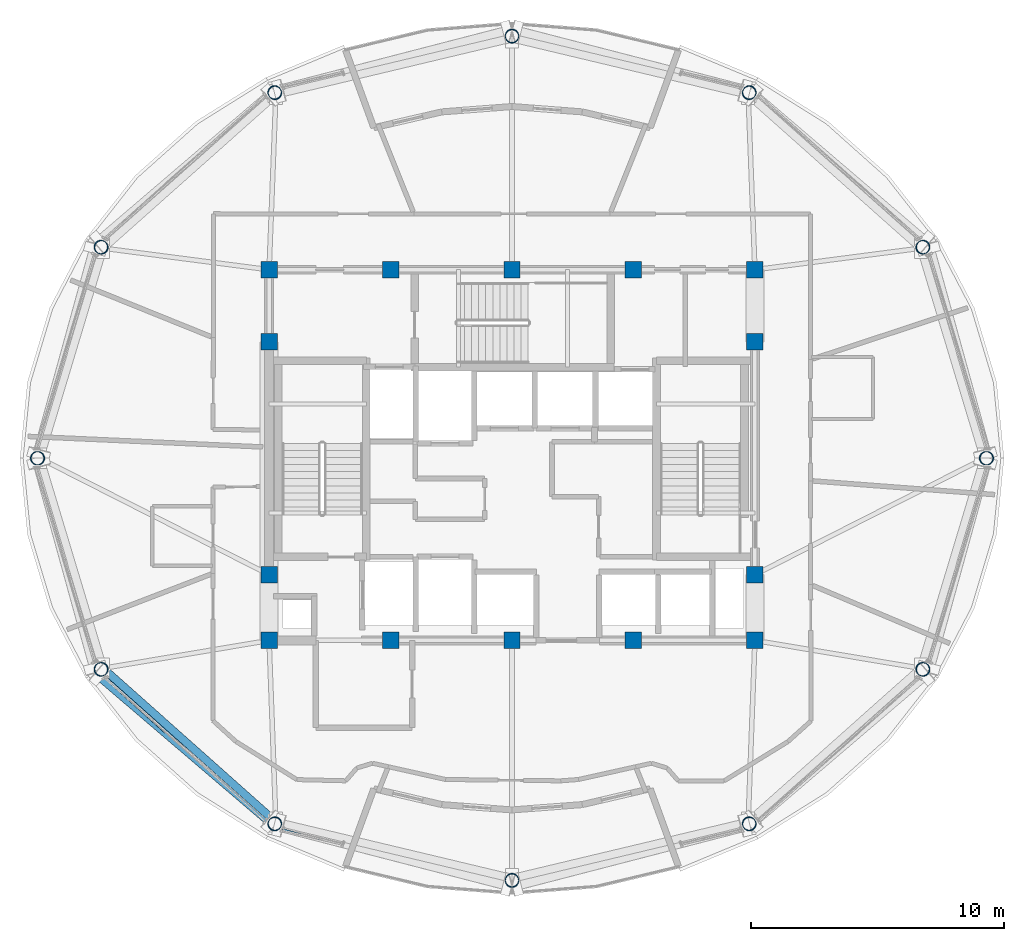
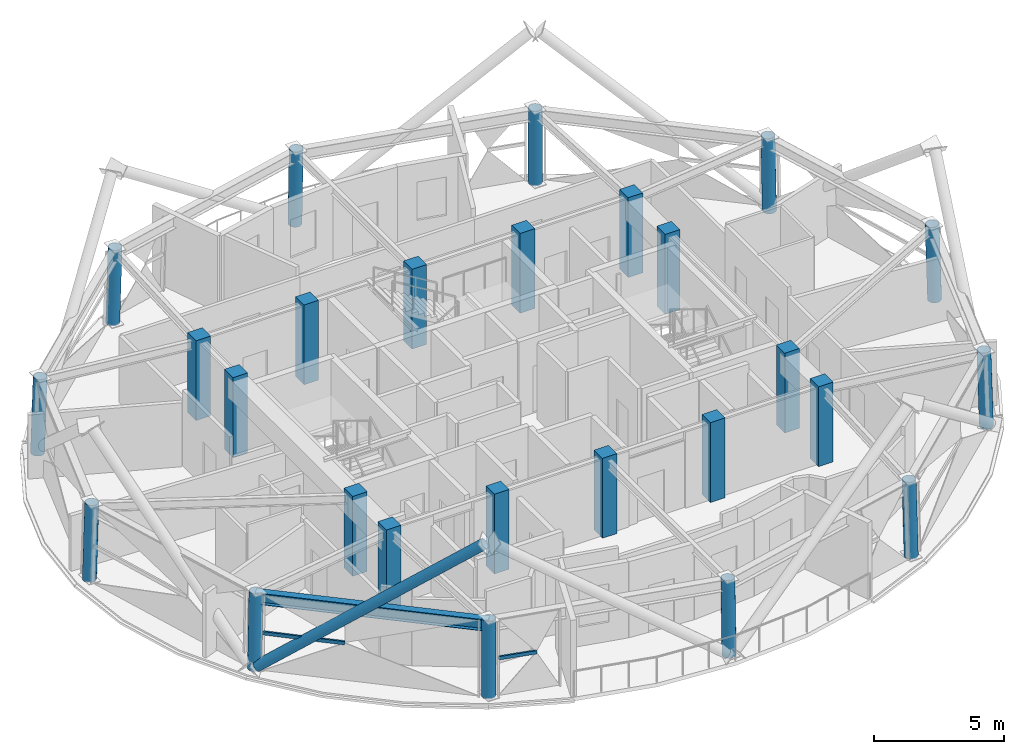
# One storey, part 1 of 13: 26 columns, 3 members, 1 beam, 2 elements without a shape of their own.
"""IFC4 building model written with IfcOpenShell, lengths in metres."""

from ifc_helpers import new_model, si_unit, direction, frame, origin, origin_2d, place, context, subcontext, project, spatial, rectangle, hollow_rectangle, hollow_circle, i_section, extrude, material, layer, layer_set, material_profile, profile_set, type_object, element, aggregate, save


model = new_model("IFC4")

# Units and contexts
model_context = context("Model", 3, precision=1e-05, world=origin(), true_north=direction((0.0, 1.0)))
body_context = subcontext(model_context, "Body", "Model", "MODEL_VIEW")
ifc_project = project(units=[si_unit("LENGTHUNIT", "METRE"), si_unit("AREAUNIT", "SQUARE_METRE"), si_unit("VOLUMEUNIT", "CUBIC_METRE"), si_unit("PLANEANGLEUNIT", "RADIAN"), si_unit("MASSUNIT", "GRAM", prefix="KILO")], contexts=[model_context])

# Site, building, storey
site_placement = place(None, origin())
site = spatial("IfcSite", under=ifc_project, at=site_placement, CompositionType="ELEMENT")
building_placement = place(site_placement, origin())
building = spatial("IfcBuilding", under=site, at=building_placement, Name="Vantalir Tower", CompositionType="ELEMENT")
storey_placement = place(building_placement, frame((0.0, 0.0, 282.60009765625)))
storey = spatial("IfcBuildingStorey", under=building, at=storey_placement, Name="L71", CompositionType="ELEMENT", Elevation=282.60009765625)

# Columns
ifc_material_1 = material(Name="Concrete C50/60", Category="concrete")
ifc_material_profile_1 = material_profile(ifc_material_1, rectangle(XDim=0.64990234375, YDim=0.64990234375, at=origin_2d()), Name="Concrete C50/60")
ifc_profile_set_1 = profile_set([ifc_material_profile_1], Name="Concrete C50/60")
column_type_1 = type_object("IfcColumnType", Name="COL-CC-650", PredefinedType="COLUMN", material=ifc_profile_set_1)
for number, where, z_axis, x_axis, name in (
    (1, (21.89990234375, 17.800048828125, 0.0), (0.0, 0.0, 1.0), (1.0, 0.0, 0.0), "L71 Core Column CC01"),
    (2, (26.699951171875, 17.800048828125, 0.0), (0.0, 0.0, 1.0), (1.0, 0.0, 0.0), "L71 Core Column CC02"),
    (3, (31.5, 17.800048828125, 0.0), (0.0, 0.0, 1.0), (1.0, 0.0, 0.0), "L71 Core Column CC03"),
    (4, (36.300048828125, 17.800048828125, 0.0), (0.0, 0.0, 1.0), (1.0, 0.0, 0.0), "L71 Core Column CC04"),
    (5, (41.10009765625, 17.800048828125, 0.0), (0.0, 0.0, 1.0), (1.0, 0.0, 0.0), "L71 Core Column CC05"),
    (6, (21.89990234375, 20.39990234375, 0.0), (0.0, 0.0, 1.0), (1.0, 0.0, 0.0), "L71 Core Column CC06"),
    (7, (21.89990234375, 29.60009765625, 0.0), (0.0, 0.0, 1.0), (1.0, 0.0, 0.0), "L71 Core Column CC07"),
    (8, (41.10009765625, 20.39990234375, 0.0), (0.0, 0.0, 1.0), (1.0, 0.0, 0.0), "L71 Core Column CC08"),
    (9, (41.10009765625, 29.60009765625, 0.0), (0.0, 0.0, 1.0), (1.0, 0.0, 0.0), "L71 Core Column CC09"),
    (10, (21.89990234375, 32.449951171875, 0.0), (0.0, 0.0, 1.0), (1.0, 0.0, 0.0), "L71 Core Column CC10"),
    (11, (26.699951171875, 32.449951171875, 0.0), (0.0, 0.0, 1.0), (1.0, 0.0, 0.0), "L71 Core Column CC11"),
    (12, (31.5, 32.449951171875, 0.0), (0.0, 0.0, 1.0), (1.0, 0.0, 0.0), "L71 Core Column CC12"),
    (13, (36.300048828125, 32.449951171875, 0.0), (0.0, 0.0, 1.0), (1.0, 0.0, 0.0), "L71 Core Column CC13"),
    (14, (41.10009765625, 32.449951171875, 0.0), (0.0, 0.0, 1.0), (1.0, 0.0, 0.0), "L71 Core Column CC14"),
):
    element("IfcColumn", number, at=place(storey_placement, frame(where, z_axis=z_axis, x_axis=x_axis)), inside=storey, type_object=column_type_1, Name=name, PredefinedType="COLUMN", context=body_context, shape_type="SweptSolid", body=[
        extrude(rectangle(XDim=0.64990234375, YDim=0.64990234375, at=origin_2d()), origin(), (0.0, 0.0, 1.0), 3.75),
    ])
ifc_material_2 = material(Name="Steel S460", Category="steel")
ifc_material_profile_2 = material_profile(ifc_material_2, hollow_circle(Radius=0.27490234375, WallThickness=0.02490234375, at=origin_2d()), Name="Steel S460")
ifc_profile_set_2 = profile_set([ifc_material_profile_2], Name="Steel S460")
column_type_2 = type_object("IfcColumnType", Name="COL-RC-550", PredefinedType="COLUMN", material=ifc_profile_set_2)
for number, where, z_axis, x_axis, name in (
    (15, (50.27001953125, 25.0, 0.0), (-0.029395033869, 0.0, 0.999567872625), (0.0, -1.0, 0.0), "L71 Perimeter Ring Column RC01"),
    (16, (47.7548828125, 33.35009765625, 0.0), (-0.025430672983, -0.01319387066, 0.999589517076), (0.460526100671, -0.887646162951, 0.0), "L71 Perimeter Ring Column RC02"),
):
    element("IfcColumn", number, at=place(storey_placement, frame(where, z_axis=z_axis, x_axis=x_axis)), inside=storey, type_object=column_type_2, Name=name, PredefinedType="COLUMN", context=body_context, shape_type="SweptSolid", body=[
        extrude(hollow_circle(Radius=0.27490234375, WallThickness=0.02490234375, at=origin_2d()), origin(), (0.0, 0.0, 1.0), 3.5712890625),
    ])
for number, where, z_axis, x_axis, name in (
    (17, (40.885009765625, 39.462890625, 0.0), (-0.014561724954, -0.022902243472, 0.999631653866), (0.843868872762, -0.536549462383, 0.0), "L71 Perimeter Ring Column RC03"),
    (18, (31.5, 41.699951171875, 0.0), (0.0, -0.026321065052, 0.99965354075), (1.0, 0.0, 0.0), "L71 Perimeter Ring Column RC04"),
    (19, (22.114990234375, 39.462890625, 0.0), (0.014835124949, -0.022902151418, 0.999627635937), (0.839301184633, 0.543666737509, 0.0), "L71 Perimeter Ring Column RC05"),
):
    element("IfcColumn", number, at=place(storey_placement, frame(where, z_axis=z_axis, x_axis=x_axis)), inside=storey, type_object=column_type_2, Name=name, PredefinedType="COLUMN", context=body_context, shape_type="SweptSolid", body=[
        extrude(hollow_circle(Radius=0.27490234375, WallThickness=0.02490234375, at=origin_2d()), origin(), (0.0, 0.0, 1.0), 3.571044921875),
    ])
for number, where, z_axis, x_axis, name in (
    (20, (15.2451171875, 33.35009765625, 0.0), (0.025430672983, -0.01319387066, 0.999589517076), (0.460526100671, 0.887646162951, 0.0), "L71 Perimeter Ring Column RC06"),
    (21, (12.72998046875, 25.0, 0.0), (0.029395033869, 0.0, 0.999567872625), (0.0, 1.0, 0.0), "L71 Perimeter Ring Column RC07"),
    (22, (15.2451171875, 16.64990234375, 0.0), (0.025430672983, 0.01319387066, 0.999589517076), (-0.460526100671, 0.887646162951, 0.0), "L71 Perimeter Ring Column RC08"),
):
    element("IfcColumn", number, at=place(storey_placement, frame(where, z_axis=z_axis, x_axis=x_axis)), inside=storey, type_object=column_type_2, Name=name, PredefinedType="COLUMN", context=body_context, shape_type="SweptSolid", body=[
        extrude(hollow_circle(Radius=0.27490234375, WallThickness=0.02490234375, at=origin_2d()), origin(), (0.0, 0.0, 1.0), 3.5712890625),
    ])
for number, where, z_axis, x_axis, name in (
    (23, (22.114990234375, 10.537109375, 0.0), (0.014561724954, 0.022902243472, 0.999631653866), (-0.843868872762, 0.536549462383, 0.0), "L71 Perimeter Ring Column RC09"),
    (24, (31.5, 8.300048828125, 0.0), (0.0, 0.026321065052, 0.99965354075), (-1.0, 0.0, 0.0), "L71 Perimeter Ring Column RC10"),
    (25, (40.885009765625, 10.537109375, 0.0), (-0.014561724954, 0.022902243472, 0.999631653866), (-0.843868872762, -0.536549462383, 0.0), "L71 Perimeter Ring Column RC11"),
):
    element("IfcColumn", number, at=place(storey_placement, frame(where, z_axis=z_axis, x_axis=x_axis)), inside=storey, type_object=column_type_2, Name=name, PredefinedType="COLUMN", context=body_context, shape_type="SweptSolid", body=[
        extrude(hollow_circle(Radius=0.27490234375, WallThickness=0.02490234375, at=origin_2d()), origin(), (0.0, 0.0, 1.0), 3.571044921875),
    ])
column_placement = place(storey_placement, frame((47.7548828125, 16.64990234375, 0.0), z_axis=(-0.025430672983, 0.01319387066, 0.999589517076), x_axis=(-0.460526100671, -0.887646162951, 0.0)))
element("IfcColumn", 26, at=column_placement, inside=storey, type_object=column_type_2, Name="L71 Perimeter Ring Column RC12", PredefinedType="COLUMN", context=body_context, shape_type="SweptSolid", body=[
    extrude(hollow_circle(Radius=0.27490234375, WallThickness=0.02490234375, at=origin_2d()), origin(), (0.0, 0.0, 1.0), 3.5712890625),
])

# Beam
ifc_material_profile_3 = material_profile(ifc_material_2, i_section(OverallWidth=0.31201171875, OverallDepth=0.5419921875, WebThickness=0.0126953125, FlangeThickness=0.020263671875, at=origin_2d()), Name="Steel S460")
ifc_profile_set_3 = profile_set([ifc_material_profile_3], Name="Steel S460")
beam_type = type_object("IfcBeamType", Name="BM-RG-533x312", PredefinedType="USERDEFINED", material=ifc_profile_set_3)
beam_placement = place(storey_placement, frame((15.3359375, 16.697021484375, 3.298828125), z_axis=(0.747079245469, -0.664734985532, 0.0), x_axis=(0.664734985532, 0.747079245469, 0.0)))
element("IfcBeam", 27, at=beam_placement, inside=storey, type_object=beam_type, Name="L71 Circumferential Ring Girder 08", ObjectType="GIRDER", PredefinedType="USERDEFINED", context=body_context, shape_type="SweptSolid", body=[
    extrude(i_section(OverallWidth=0.31201171875, OverallDepth=0.5419921875, WebThickness=0.0126953125, FlangeThickness=0.020263671875, at=origin_2d()), origin(), (0.0, 0.0, 1.0), 9.143798828125),
])

# Curtain wall, member
ifc_material_3 = material(Name="Champagne-silver PVDF aluminium and double-silver Low-E glass", Category="aluminium")
ifc_layer = layer(ifc_material_3, 0.219970703125)
ifc_layer_set = layer_set([ifc_layer], Name="Champagne-silver PVDF aluminium and double-silver Low-E glass")
curtain_wall_type = type_object("IfcCurtainWallType", Name="CW-DIAMOND-Z4", PredefinedType="USERDEFINED", material=ifc_layer_set)
curtain_wall_1_placement = place(storey_placement, origin())
curtain_wall_1 = element("IfcCurtainWall", 28, at=curtain_wall_1_placement, inside=storey, type_object=curtain_wall_type, Name="L71 Quilted Pyramid-Diamond Curtain Wall S08", ObjectType="UNITISED CURTAIN WALL", PredefinedType="USERDEFINED")
ifc_material_4 = material(Name="Champagne-silver PVDF aluminium 6063-T6", Category="aluminium")
ifc_material_profile_4 = material_profile(ifc_material_4, hollow_rectangle(XDim=0.074951171875, YDim=0.159912109375, WallThickness=0.00390625, at=origin_2d()), Name="Champagne-silver PVDF aluminium 6063-T6")
ifc_profile_set_4 = profile_set([ifc_material_profile_4], Name="Champagne-silver PVDF aluminium 6063-T6")
member_type_1 = type_object("IfcMemberType", Name="CWT-160x75", PredefinedType="USERDEFINED", material=ifc_profile_set_4)
member_1_placement = place(storey_placement, frame((15.4169921875, 16.319091796875, 1.784912109375), z_axis=(0.741727901546, -0.670700917003, 0.0), x_axis=(0.670700917003, 0.741727901546, 0.0)))
member_1 = element("IfcMember", 29, at=member_1_placement, type_object=member_type_1, Name="CW-L71-S08 Pyramid Fold Ridge Transom", ObjectType="TRANSOM", PredefinedType="USERDEFINED", context=body_context, shape_type="SweptSolid", body=[
    extrude(hollow_rectangle(XDim=0.074951171875, YDim=0.159912109375, WallThickness=0.00390625, at=origin_2d()), origin(), (0.0, 0.0, 1.0), 3.220703125),
])
aggregate(curtain_wall_1, [member_1])

curtain_wall_2_placement = place(storey_placement, origin())
curtain_wall_2 = element("IfcCurtainWall", 30, at=curtain_wall_2_placement, inside=storey, type_object=curtain_wall_type, Name="L71 Quilted Pyramid-Diamond Curtain Wall S09", ObjectType="UNITISED CURTAIN WALL", PredefinedType="USERDEFINED")
member_2_placement = place(storey_placement, frame((22.425048828125, 10.322998046875, 1.784912109375), z_axis=(0.968930814317, -0.247331916799, 0.0), x_axis=(0.247331916799, 0.968930814317, 0.0)))
member_2 = element("IfcMember", 31, at=member_2_placement, type_object=member_type_1, Name="CW-L71-S09 Pyramid Fold Ridge Transom", ObjectType="TRANSOM", PredefinedType="USERDEFINED", context=body_context, shape_type="SweptSolid", body=[
    extrude(hollow_rectangle(XDim=0.074951171875, YDim=0.159912109375, WallThickness=0.00390625, at=origin_2d()), origin(), (0.0, 0.0, 1.0), 1.52001953125),
])
aggregate(curtain_wall_2, [member_2])

# Member
ifc_material_profile_5 = material_profile(ifc_material_2, hollow_circle(Radius=0.22998046875, WallThickness=0.028076171875, at=origin_2d()), Name="Steel S460")
ifc_profile_set_5 = profile_set([ifc_material_profile_5], Name="Steel S460")
member_type_2 = type_object("IfcMemberType", Name="MEM-DB-460x28", PredefinedType="BRACE", material=ifc_profile_set_5)
member_3_placement = place(storey_placement, frame((15.2119140625, 16.44189453125, 0.21484375), z_axis=(0.60168259491, -0.514013487382, 0.611365839552), x_axis=(0.649541572784, 0.760326078223, 0.0)))
element("IfcMember", 32, at=member_3_placement, inside=storey, type_object=member_type_2, Name="L71 Perimeter S460 Diagrid Brace R22L", PredefinedType="BRACE", context=body_context, shape_type="SweptSolid", body=[
    extrude(hollow_circle(Radius=0.22998046875, WallThickness=0.028076171875, at=origin_2d()), origin(), (0.0, 0.0, 1.0), 11.27001953125),
])

save(model, "model.ifc")
